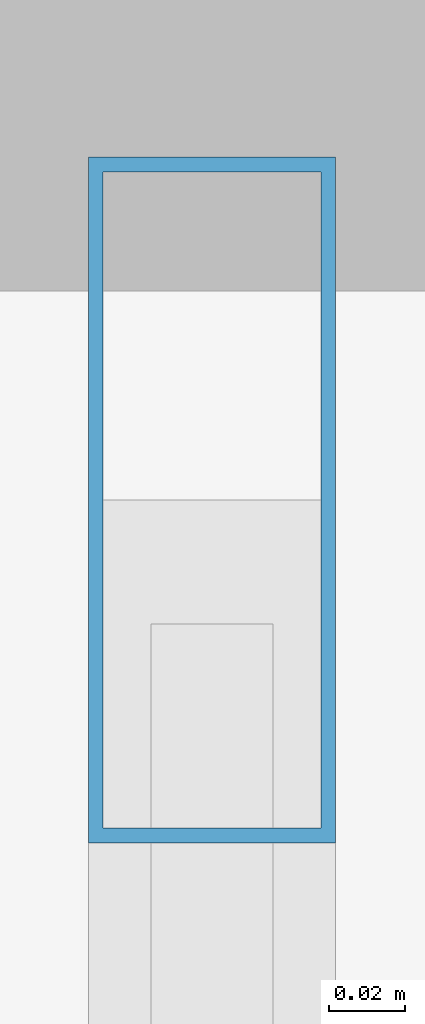
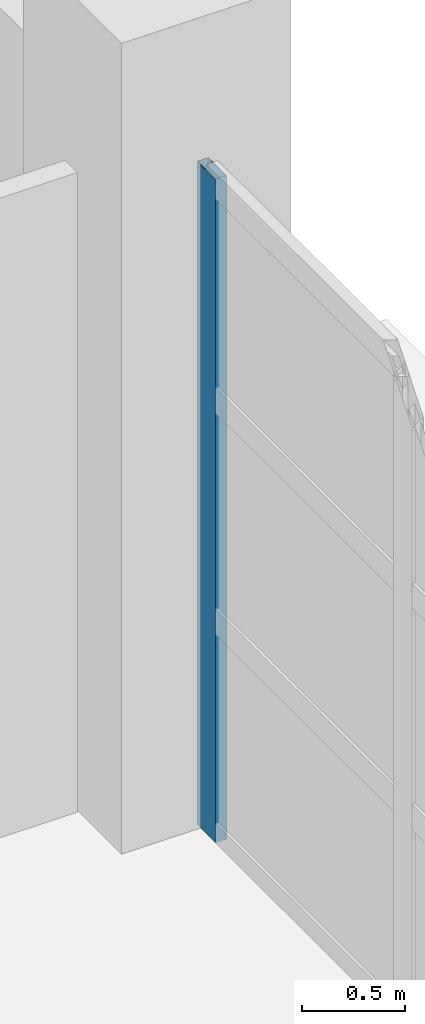
# One storey, part 34 of 82: 1 member, 1 element without a shape of its own.
"""IFC4 building model written with IfcOpenShell, lengths in metres."""

from ifc_helpers import new_model, si_unit, direction, frame, origin, origin_2d, place, context, subcontext, project, spatial, hollow_rectangle, extrude, material, material_profile, profile_set, type_object, element, aggregate, save


model = new_model("IFC4")

# Units and contexts
model_context = context("Model", 3, precision=1e-05, world=origin(), true_north=direction((0.0, 1.0)))
body_context = subcontext(model_context, "Body", "Model", "MODEL_VIEW")
ifc_project = project(units=[si_unit("LENGTHUNIT", "METRE"), si_unit("AREAUNIT", "SQUARE_METRE"), si_unit("VOLUMEUNIT", "CUBIC_METRE"), si_unit("PLANEANGLEUNIT", "RADIAN"), si_unit("MASSUNIT", "GRAM", prefix="KILO")], contexts=[model_context])

# Site, building, storey
site_placement = place(None, origin())
site = spatial("IfcSite", under=ifc_project, at=site_placement, CompositionType="ELEMENT")
building_placement = place(site_placement, origin())
building = spatial("IfcBuilding", under=site, at=building_placement, Name="Kelmvaro Bay Concert Hall", CompositionType="ELEMENT")
storey_placement = place(building_placement, origin())
storey = spatial("IfcBuildingStorey", under=building, at=storey_placement, Name="L00", CompositionType="ELEMENT", Elevation=0.0)

# Curtain wall, member
ifc_material_1 = material(Name="Anodised Aluminium and Low-E Insulated Glazing", Category="aluminium")
curtain_wall_type = type_object("IfcCurtainWallType", Name="West Link Courtyard Curtain Wall 4000", PredefinedType="USERDEFINED", material=ifc_material_1)
curtain_wall_placement = place(storey_placement, origin())
curtain_wall = element("IfcCurtainWall", 1, at=curtain_wall_placement, inside=storey, type_object=curtain_wall_type, Name="Unitised Curtain Wall CW-L00-128", ObjectType="UNITISED GLAZING", PredefinedType="USERDEFINED")
ifc_material_2 = material(Name="Anodised Extruded Aluminium 6063-T6", Category="aluminium")
ifc_material_profile = material_profile(ifc_material_2, hollow_rectangle(XDim=0.06494140625, YDim=0.179931640625, WallThickness=0.00390625, at=origin_2d()), Name="ALU-MUL-180X65")
ifc_profile_set = profile_set([ifc_material_profile], Name="Anodised Extruded Aluminium 6063-T6")
member_type = type_object("IfcMemberType", Name="Curtain Mullion ALU 180x65", PredefinedType="MULLION", material=ifc_profile_set)
member_placement = place(storey_placement, frame((60.0, 64.8701171875, 0.0), z_axis=(0.0, 0.0, 1.0), x_axis=(1.0, 0.0, 0.0)))
member = element("IfcMember", 2, at=member_placement, type_object=member_type, Name="CW-L00-128 Mullion 01", PredefinedType="MULLION", context=body_context, shape_type="SweptSolid", body=[
    extrude(hollow_rectangle(XDim=0.06494140625, YDim=0.179931640625, WallThickness=0.00390625, at=origin_2d()), origin(), (0.0, 0.0, 1.0), 3.927978515625),
])
aggregate(curtain_wall, [member])

save(model, "model.ifc")
